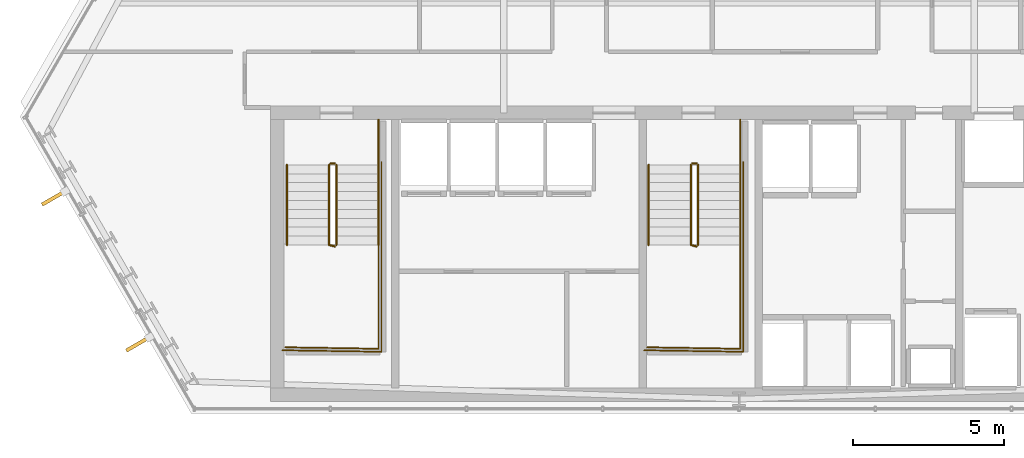
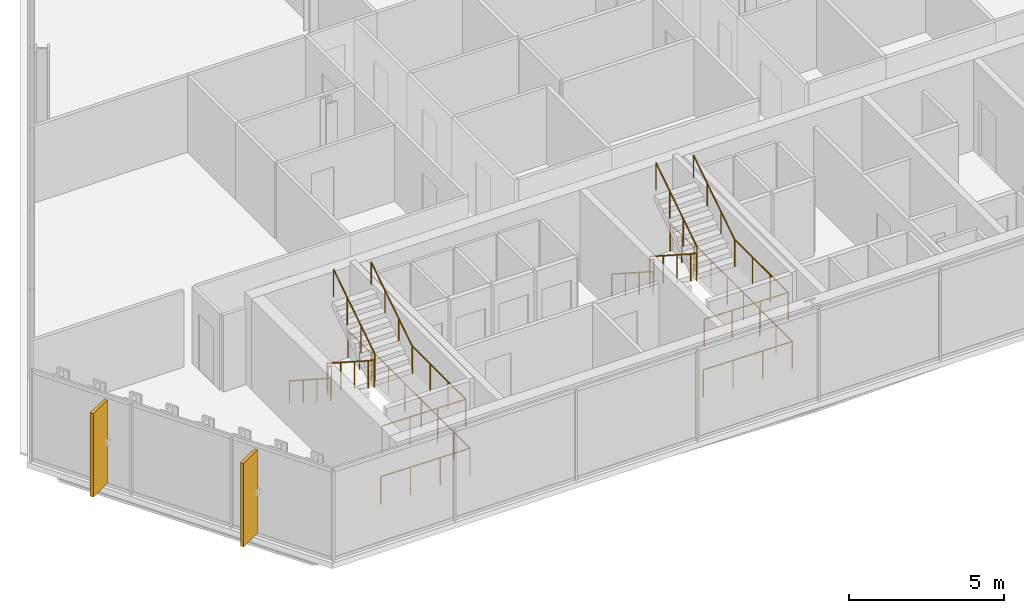
# One storey, part 30 of 33: 16 railings, 2 shading devices.
"""IFC4 building model written with IfcOpenShell, lengths in metres."""

from ifc_helpers import new_model, si_unit, direction, frame, origin, origin_2d, place, context, subcontext, project, spatial, rectangle, circle, extrude, material, layer, layer_set, type_object, element, save


model = new_model("IFC4")

# Units and contexts
model_context = context("Model", 3, precision=1e-05, world=origin(), true_north=direction((0.0, 1.0)))
body_context = subcontext(model_context, "Body", "Model", "MODEL_VIEW")
ifc_project = project(units=[si_unit("LENGTHUNIT", "METRE"), si_unit("AREAUNIT", "SQUARE_METRE"), si_unit("VOLUMEUNIT", "CUBIC_METRE"), si_unit("PLANEANGLEUNIT", "RADIAN"), si_unit("MASSUNIT", "GRAM", prefix="KILO")], contexts=[model_context])

# Site, building, storey
site_placement = place(None, origin())
site = spatial("IfcSite", under=ifc_project, at=site_placement, CompositionType="ELEMENT")
building_placement = place(site_placement, origin())
building = spatial("IfcBuilding", under=site, at=building_placement, Name="Ndaravel Arena Tower", CompositionType="ELEMENT")
storey_placement = place(building_placement, frame((0.0, 0.0, 149.800048828125)))
storey = spatial("IfcBuildingStorey", under=building, at=storey_placement, Name="L35", CompositionType="ELEMENT", Elevation=149.800048828125)

# Railings
ifc_material_1 = material(Name="Steel S355", Category="steel")
ifc_layer_1 = layer(ifc_material_1, 0.06005859375)
ifc_layer_set_1 = layer_set([ifc_layer_1], Name="Steel S355")
railing_type_1 = type_object("IfcRailingType", Name="RAIL-STAIR-GD1100", PredefinedType="GUARDRAIL", material=ifc_layer_set_1)
railing_1_placement = place(storey_placement, frame((28.39990234375, 13.25, 0.18994140625)))
element("IfcRailing", 1, at=railing_1_placement, inside=storey, type_object=railing_type_1, Name="L35 ST-1 stair guard 1", PredefinedType="GUARDRAIL", context=body_context, shape_type="SweptSolid", body=[
    extrude(circle(Radius=0.02392578125, at=origin_2d()), frame((0.0, 0.0, 1.076171875), z_axis=(0.0, -0.840723540582, 0.54146461409), x_axis=(1.0, 0.0, 0.0)), (0.0, 0.0, 1.0), 3.157958984375),
    extrude(circle(Radius=0.02392578125, at=origin_2d()), frame((0.0, -2.655029296875, 2.7861328125), z_axis=(0.967074537263, -0.25449329928, 0.0), x_axis=(0.25449329928, 0.967074537263, 0.0)), (0.0, 0.0, 1.0), 0.19677734375),
    extrude(circle(Radius=0.02099609375, at=origin_2d()), origin(), (0.0, 0.0, 1.0), 1.052001953125),
    extrude(circle(Radius=0.02099609375, at=origin_2d()), frame((0.0, -0.885009765625, 0.570068359375)), (0.0, 0.0, 1.0), 1.052001953125),
    extrude(circle(Radius=0.02099609375, at=origin_2d()), frame((0.0, -1.77001953125, 1.139892578125)), (0.0, 0.0, 1.0), 1.052001953125),
    extrude(circle(Radius=0.02099609375, at=origin_2d()), frame((0.0, -2.655029296875, 1.7099609375)), (0.0, 0.0, 1.0), 1.052001953125),
    extrude(circle(Radius=0.02099609375, at=origin_2d()), frame((0.190185546875, -2.705078125, 1.7099609375)), (0.0, 0.0, 1.0), 1.052001953125),
])
railing_2_placement = place(storey_placement, frame((30.0400390625, 10.594970703125, 1.89990234375)))
element("IfcRailing", 2, at=railing_2_placement, inside=storey, type_object=railing_type_1, Name="L35 ST-1 stair guard 2", PredefinedType="GUARDRAIL", context=body_context, shape_type="SweptSolid", body=[
    extrude(circle(Radius=0.02392578125, at=origin_2d()), frame((0.0, 0.0, 1.076171875), z_axis=(0.0, -1.0, 0.0), x_axis=(1.0, 0.0, 0.0)), (0.0, 0.0, 1.0), 3.445068359375),
    extrude(circle(Radius=0.02392578125, at=origin_2d()), frame((0.0, -3.445068359375, 1.076171875), z_axis=(-0.999868861343, 0.016194447071, 0.0), x_axis=(-0.016194447071, -0.999868861343, 0.0)), (0.0, 0.0, 1.0), 3.090576171875),
    extrude(circle(Radius=0.02099609375, at=origin_2d()), origin(), (0.0, 0.0, 1.0), 1.052001953125),
    extrude(circle(Radius=0.02099609375, at=origin_2d()), frame((0.0, -1.1484375, 0.0)), (0.0, 0.0, 1.0), 1.052001953125),
    extrude(circle(Radius=0.02099609375, at=origin_2d()), frame((0.0, -2.296630859375, 0.0)), (0.0, 0.0, 1.0), 1.052001953125),
    extrude(circle(Radius=0.02099609375, at=origin_2d()), frame((0.0, -3.445068359375, 0.0)), (0.0, 0.0, 1.0), 1.052001953125),
    extrude(circle(Radius=0.02099609375, at=origin_2d()), frame((-1.030029296875, -3.428466796875, 0.0)), (0.0, 0.0, 1.0), 1.052001953125),
    extrude(circle(Radius=0.02099609375, at=origin_2d()), frame((-2.06005859375, -3.41162109375, 0.0)), (0.0, 0.0, 1.0), 1.052001953125),
    extrude(circle(Radius=0.02099609375, at=origin_2d()), frame((-3.090087890625, -3.39501953125, 0.0)), (0.0, 0.0, 1.0), 1.052001953125),
])
railing_3_placement = place(storey_placement, frame((28.639892578125, 10.594970703125, 2.08984375)))
element("IfcRailing", 3, at=railing_3_placement, inside=storey, type_object=railing_type_1, Name="L35 ST-1 stair guard 3", PredefinedType="GUARDRAIL", context=body_context, shape_type="SweptSolid", body=[
    extrude(circle(Radius=0.02392578125, at=origin_2d()), frame((0.0, 0.0, 1.076171875), z_axis=(0.0, 0.840688348013, 0.541519253134), x_axis=(-1.0, 0.0, 0.0)), (0.0, 0.0, 1.0), 3.158203125),
    extrude(circle(Radius=0.02099609375, at=origin_2d()), origin(), (0.0, 0.0, 1.0), 1.052001953125),
    extrude(circle(Radius=0.02099609375, at=origin_2d()), frame((0.0, 0.885009765625, 0.570068359375)), (0.0, 0.0, 1.0), 1.052001953125),
    extrude(circle(Radius=0.02099609375, at=origin_2d()), frame((0.0, 1.77001953125, 1.14013671875)), (0.0, 0.0, 1.0), 1.052001953125),
    extrude(circle(Radius=0.02099609375, at=origin_2d()), frame((0.0, 2.655029296875, 1.710205078125)), (0.0, 0.0, 1.0), 1.052001953125),
])
railing_4_placement = place(storey_placement, frame((28.449951171875, 13.300048828125, 0.0)))
element("IfcRailing", 4, at=railing_4_placement, inside=storey, type_object=railing_type_1, Name="L35 ST-1 stair guard 4", PredefinedType="GUARDRAIL", context=body_context, shape_type="SweptSolid", body=[
    extrude(circle(Radius=0.02392578125, at=origin_2d()), frame((0.0, 0.0, 1.076171875), z_axis=(1.0, 0.0, 0.0), x_axis=(0.0, 1.0, 0.0)), (0.0, 0.0, 1.0), 0.14013671875),
    extrude(circle(Radius=0.02099609375, at=origin_2d()), origin(), (0.0, 0.0, 1.0), 1.052001953125),
    extrude(circle(Radius=0.02099609375, at=origin_2d()), frame((0.14013671875, 0.0, 0.0)), (0.0, 0.0, 1.0), 1.052001953125),
])
railing_5_placement = place(storey_placement, frame((30.0400390625, 14.75, 0.0)))
element("IfcRailing", 5, at=railing_5_placement, inside=storey, type_object=railing_type_1, Name="L35 ST-1 stair guard 5", PredefinedType="GUARDRAIL", context=body_context, shape_type="SweptSolid", body=[
    extrude(circle(Radius=0.02392578125, at=origin_2d()), frame((0.0, 0.0, 1.076171875), z_axis=(0.0, -1.0, 0.0), x_axis=(1.0, 0.0, 0.0)), (0.0, 0.0, 1.0), 1.5),
    extrude(circle(Radius=0.02099609375, at=origin_2d()), origin(), (0.0, 0.0, 1.0), 1.052001953125),
    extrude(circle(Radius=0.02099609375, at=origin_2d()), frame((0.0, -0.75, 0.0)), (0.0, 0.0, 1.0), 1.052001953125),
    extrude(circle(Radius=0.02099609375, at=origin_2d()), frame((0.0, -1.5, 0.0)), (0.0, 0.0, 1.0), 1.052001953125),
])
railing_6_placement = place(storey_placement, frame((30.139892578125, 13.35009765625, 0.0)))
element("IfcRailing", 6, at=railing_6_placement, inside=storey, type_object=railing_type_1, Name="L35 ST-1 stair guard 6", PredefinedType="GUARDRAIL", context=body_context, shape_type="SweptSolid", body=[
    extrude(circle(Radius=0.02392578125, at=origin_2d()), frame((0.0, 0.0, 1.076171875), z_axis=(0.0, -1.0, 0.0), x_axis=(1.0, 0.0, 0.0)), (0.0, 0.0, 1.0), 6.300048828125),
    extrude(circle(Radius=0.02392578125, at=origin_2d()), frame((0.0, -6.300048828125, 1.076171875), z_axis=(-0.999884296952, 0.015211597839, 0.0), x_axis=(-0.015211597839, -0.999884296952, 0.0)), (0.0, 0.0, 1.0), 3.290283203125),
    extrude(circle(Radius=0.02099609375, at=origin_2d()), origin(), (0.0, 0.0, 1.0), 1.052001953125),
    extrude(circle(Radius=0.02099609375, at=origin_2d()), frame((0.0, -1.050048828125, 0.0)), (0.0, 0.0, 1.0), 1.052001953125),
    extrude(circle(Radius=0.02099609375, at=origin_2d()), frame((0.0, -2.10009765625, 0.0)), (0.0, 0.0, 1.0), 1.052001953125),
    extrude(circle(Radius=0.02099609375, at=origin_2d()), frame((0.0, -3.14990234375, 0.0)), (0.0, 0.0, 1.0), 1.052001953125),
    extrude(circle(Radius=0.02099609375, at=origin_2d()), frame((0.0, -4.199951171875, 0.0)), (0.0, 0.0, 1.0), 1.052001953125),
    extrude(circle(Radius=0.02099609375, at=origin_2d()), frame((0.0, -5.25, 0.0)), (0.0, 0.0, 1.0), 1.052001953125),
    extrude(circle(Radius=0.02099609375, at=origin_2d()), frame((0.0, -6.300048828125, 0.0)), (0.0, 0.0, 1.0), 1.052001953125),
    extrude(circle(Radius=0.02099609375, at=origin_2d()), frame((-1.0966796875, -6.283447265625, 0.0)), (0.0, 0.0, 1.0), 1.052001953125),
    extrude(circle(Radius=0.02099609375, at=origin_2d()), frame((-2.193115234375, -6.2666015625, 0.0)), (0.0, 0.0, 1.0), 1.052001953125),
    extrude(circle(Radius=0.02099609375, at=origin_2d()), frame((-3.289794921875, -6.25, 0.0)), (0.0, 0.0, 1.0), 1.052001953125),
])
railing_7_placement = place(storey_placement, frame((40.39990234375, 13.25, 0.18994140625)))
element("IfcRailing", 7, at=railing_7_placement, inside=storey, type_object=railing_type_1, Name="L35 ST-2 stair guard 1", PredefinedType="GUARDRAIL", context=body_context, shape_type="SweptSolid", body=[
    extrude(circle(Radius=0.02392578125, at=origin_2d()), frame((0.0, 0.0, 1.076171875), z_axis=(0.0, -0.840723540582, 0.54146461409), x_axis=(1.0, 0.0, 0.0)), (0.0, 0.0, 1.0), 3.157958984375),
    extrude(circle(Radius=0.02392578125, at=origin_2d()), frame((0.0, -2.655029296875, 2.7861328125), z_axis=(0.967074537263, -0.25449329928, 0.0), x_axis=(0.25449329928, 0.967074537263, 0.0)), (0.0, 0.0, 1.0), 0.19677734375),
    extrude(circle(Radius=0.02099609375, at=origin_2d()), origin(), (0.0, 0.0, 1.0), 1.052001953125),
    extrude(circle(Radius=0.02099609375, at=origin_2d()), frame((0.0, -0.885009765625, 0.570068359375)), (0.0, 0.0, 1.0), 1.052001953125),
    extrude(circle(Radius=0.02099609375, at=origin_2d()), frame((0.0, -1.77001953125, 1.139892578125)), (0.0, 0.0, 1.0), 1.052001953125),
    extrude(circle(Radius=0.02099609375, at=origin_2d()), frame((0.0, -2.655029296875, 1.7099609375)), (0.0, 0.0, 1.0), 1.052001953125),
    extrude(circle(Radius=0.02099609375, at=origin_2d()), frame((0.190185546875, -2.705078125, 1.7099609375)), (0.0, 0.0, 1.0), 1.052001953125),
])
railing_8_placement = place(storey_placement, frame((42.0400390625, 10.594970703125, 1.89990234375)))
element("IfcRailing", 8, at=railing_8_placement, inside=storey, type_object=railing_type_1, Name="L35 ST-2 stair guard 2", PredefinedType="GUARDRAIL", context=body_context, shape_type="SweptSolid", body=[
    extrude(circle(Radius=0.02392578125, at=origin_2d()), frame((0.0, 0.0, 1.076171875), z_axis=(0.0, -1.0, 0.0), x_axis=(1.0, 0.0, 0.0)), (0.0, 0.0, 1.0), 3.445068359375),
    extrude(circle(Radius=0.02392578125, at=origin_2d()), frame((0.0, -3.445068359375, 1.076171875), z_axis=(-0.999868861343, 0.016194447071, 0.0), x_axis=(-0.016194447071, -0.999868861343, 0.0)), (0.0, 0.0, 1.0), 3.090576171875),
    extrude(circle(Radius=0.02099609375, at=origin_2d()), origin(), (0.0, 0.0, 1.0), 1.052001953125),
    extrude(circle(Radius=0.02099609375, at=origin_2d()), frame((0.0, -1.1484375, 0.0)), (0.0, 0.0, 1.0), 1.052001953125),
    extrude(circle(Radius=0.02099609375, at=origin_2d()), frame((0.0, -2.296630859375, 0.0)), (0.0, 0.0, 1.0), 1.052001953125),
    extrude(circle(Radius=0.02099609375, at=origin_2d()), frame((0.0, -3.445068359375, 0.0)), (0.0, 0.0, 1.0), 1.052001953125),
    extrude(circle(Radius=0.02099609375, at=origin_2d()), frame((-1.030029296875, -3.428466796875, 0.0)), (0.0, 0.0, 1.0), 1.052001953125),
    extrude(circle(Radius=0.02099609375, at=origin_2d()), frame((-2.06005859375, -3.41162109375, 0.0)), (0.0, 0.0, 1.0), 1.052001953125),
    extrude(circle(Radius=0.02099609375, at=origin_2d()), frame((-3.090087890625, -3.39501953125, 0.0)), (0.0, 0.0, 1.0), 1.052001953125),
])
railing_9_placement = place(storey_placement, frame((40.639892578125, 10.594970703125, 2.08984375)))
element("IfcRailing", 9, at=railing_9_placement, inside=storey, type_object=railing_type_1, Name="L35 ST-2 stair guard 3", PredefinedType="GUARDRAIL", context=body_context, shape_type="SweptSolid", body=[
    extrude(circle(Radius=0.02392578125, at=origin_2d()), frame((0.0, 0.0, 1.076171875), z_axis=(0.0, 0.840688348013, 0.541519253134), x_axis=(-1.0, 0.0, 0.0)), (0.0, 0.0, 1.0), 3.158203125),
    extrude(circle(Radius=0.02099609375, at=origin_2d()), origin(), (0.0, 0.0, 1.0), 1.052001953125),
    extrude(circle(Radius=0.02099609375, at=origin_2d()), frame((0.0, 0.885009765625, 0.570068359375)), (0.0, 0.0, 1.0), 1.052001953125),
    extrude(circle(Radius=0.02099609375, at=origin_2d()), frame((0.0, 1.77001953125, 1.14013671875)), (0.0, 0.0, 1.0), 1.052001953125),
    extrude(circle(Radius=0.02099609375, at=origin_2d()), frame((0.0, 2.655029296875, 1.710205078125)), (0.0, 0.0, 1.0), 1.052001953125),
])
railing_10_placement = place(storey_placement, frame((40.449951171875, 13.300048828125, 0.0)))
element("IfcRailing", 10, at=railing_10_placement, inside=storey, type_object=railing_type_1, Name="L35 ST-2 stair guard 4", PredefinedType="GUARDRAIL", context=body_context, shape_type="SweptSolid", body=[
    extrude(circle(Radius=0.02392578125, at=origin_2d()), frame((0.0, 0.0, 1.076171875), z_axis=(1.0, 0.0, 0.0), x_axis=(0.0, 1.0, 0.0)), (0.0, 0.0, 1.0), 0.14013671875),
    extrude(circle(Radius=0.02099609375, at=origin_2d()), origin(), (0.0, 0.0, 1.0), 1.052001953125),
    extrude(circle(Radius=0.02099609375, at=origin_2d()), frame((0.14013671875, 0.0, 0.0)), (0.0, 0.0, 1.0), 1.052001953125),
])
railing_11_placement = place(storey_placement, frame((42.0400390625, 14.75, 0.0)))
element("IfcRailing", 11, at=railing_11_placement, inside=storey, type_object=railing_type_1, Name="L35 ST-2 stair guard 5", PredefinedType="GUARDRAIL", context=body_context, shape_type="SweptSolid", body=[
    extrude(circle(Radius=0.02392578125, at=origin_2d()), frame((0.0, 0.0, 1.076171875), z_axis=(0.0, -1.0, 0.0), x_axis=(1.0, 0.0, 0.0)), (0.0, 0.0, 1.0), 1.5),
    extrude(circle(Radius=0.02099609375, at=origin_2d()), origin(), (0.0, 0.0, 1.0), 1.052001953125),
    extrude(circle(Radius=0.02099609375, at=origin_2d()), frame((0.0, -0.75, 0.0)), (0.0, 0.0, 1.0), 1.052001953125),
    extrude(circle(Radius=0.02099609375, at=origin_2d()), frame((0.0, -1.5, 0.0)), (0.0, 0.0, 1.0), 1.052001953125),
])
railing_12_placement = place(storey_placement, frame((42.139892578125, 13.35009765625, 0.0)))
element("IfcRailing", 12, at=railing_12_placement, inside=storey, type_object=railing_type_1, Name="L35 ST-2 stair guard 6", PredefinedType="GUARDRAIL", context=body_context, shape_type="SweptSolid", body=[
    extrude(circle(Radius=0.02392578125, at=origin_2d()), frame((0.0, 0.0, 1.076171875), z_axis=(0.0, -1.0, 0.0), x_axis=(1.0, 0.0, 0.0)), (0.0, 0.0, 1.0), 6.300048828125),
    extrude(circle(Radius=0.02392578125, at=origin_2d()), frame((0.0, -6.300048828125, 1.076171875), z_axis=(-0.999884296952, 0.015211597839, 0.0), x_axis=(-0.015211597839, -0.999884296952, 0.0)), (0.0, 0.0, 1.0), 3.290283203125),
    extrude(circle(Radius=0.02099609375, at=origin_2d()), origin(), (0.0, 0.0, 1.0), 1.052001953125),
    extrude(circle(Radius=0.02099609375, at=origin_2d()), frame((0.0, -1.050048828125, 0.0)), (0.0, 0.0, 1.0), 1.052001953125),
    extrude(circle(Radius=0.02099609375, at=origin_2d()), frame((0.0, -2.10009765625, 0.0)), (0.0, 0.0, 1.0), 1.052001953125),
    extrude(circle(Radius=0.02099609375, at=origin_2d()), frame((0.0, -3.14990234375, 0.0)), (0.0, 0.0, 1.0), 1.052001953125),
    extrude(circle(Radius=0.02099609375, at=origin_2d()), frame((0.0, -4.199951171875, 0.0)), (0.0, 0.0, 1.0), 1.052001953125),
    extrude(circle(Radius=0.02099609375, at=origin_2d()), frame((0.0, -5.25, 0.0)), (0.0, 0.0, 1.0), 1.052001953125),
    extrude(circle(Radius=0.02099609375, at=origin_2d()), frame((0.0, -6.300048828125, 0.0)), (0.0, 0.0, 1.0), 1.052001953125),
    extrude(circle(Radius=0.02099609375, at=origin_2d()), frame((-1.0966796875, -6.283447265625, 0.0)), (0.0, 0.0, 1.0), 1.052001953125),
    extrude(circle(Radius=0.02099609375, at=origin_2d()), frame((-2.193115234375, -6.2666015625, 0.0)), (0.0, 0.0, 1.0), 1.052001953125),
    extrude(circle(Radius=0.02099609375, at=origin_2d()), frame((-3.289794921875, -6.25, 0.0)), (0.0, 0.0, 1.0), 1.052001953125),
])
ifc_material_2 = material(Name="Steel S355", Category="steel")
ifc_layer_2 = layer(ifc_material_2, 0.050048828125)
ifc_layer_set_2 = layer_set([ifc_layer_2], Name="Steel S355")
railing_type_2 = type_object("IfcRailingType", Name="RAIL-STAIR-HR920", PredefinedType="HANDRAIL", material=ifc_layer_set_2)
railing_13_placement = place(storey_placement, frame((27.0, 13.25, 0.18994140625)))
element("IfcRailing", 13, at=railing_13_placement, inside=storey, type_object=railing_type_2, Name="L35 ST-1 stair handrail 1", PredefinedType="HANDRAIL", context=body_context, shape_type="SweptSolid", body=[
    extrude(circle(Radius=0.02392578125, at=origin_2d()), frame((0.0, 0.0, 0.8759765625), z_axis=(0.0, -0.840723540582, 0.54146461409), x_axis=(1.0, 0.0, 0.0)), (0.0, 0.0, 1.0), 3.157958984375),
    extrude(circle(Radius=0.02099609375, at=origin_2d()), origin(), (0.0, 0.0, 1.0), 0.851806640625),
    extrude(circle(Radius=0.02099609375, at=origin_2d()), frame((0.0, -0.885009765625, 0.570068359375)), (0.0, 0.0, 1.0), 0.851806640625),
    extrude(circle(Radius=0.02099609375, at=origin_2d()), frame((0.0, -1.77001953125, 1.139892578125)), (0.0, 0.0, 1.0), 0.851806640625),
    extrude(circle(Radius=0.02099609375, at=origin_2d()), frame((0.0, -2.655029296875, 1.7099609375)), (0.0, 0.0, 1.0), 0.851806640625),
])
railing_14_placement = place(storey_placement, frame((30.0400390625, 10.594970703125, 2.08984375)))
element("IfcRailing", 14, at=railing_14_placement, inside=storey, type_object=railing_type_2, Name="L35 ST-1 stair handrail 2", PredefinedType="HANDRAIL", context=body_context, shape_type="SweptSolid", body=[
    extrude(circle(Radius=0.02392578125, at=origin_2d()), frame((0.0, 0.0, 0.8759765625), z_axis=(0.0, 0.840688348013, 0.541519253134), x_axis=(-1.0, 0.0, 0.0)), (0.0, 0.0, 1.0), 3.158203125),
    extrude(circle(Radius=0.02099609375, at=origin_2d()), origin(), (0.0, 0.0, 1.0), 0.851806640625),
    extrude(circle(Radius=0.02099609375, at=origin_2d()), frame((0.0, 0.885009765625, 0.570068359375)), (0.0, 0.0, 1.0), 0.851806640625),
    extrude(circle(Radius=0.02099609375, at=origin_2d()), frame((0.0, 1.77001953125, 1.14013671875)), (0.0, 0.0, 1.0), 0.851806640625),
    extrude(circle(Radius=0.02099609375, at=origin_2d()), frame((0.0, 2.655029296875, 1.710205078125)), (0.0, 0.0, 1.0), 0.851806640625),
])
railing_15_placement = place(storey_placement, frame((39.0, 13.25, 0.18994140625)))
element("IfcRailing", 15, at=railing_15_placement, inside=storey, type_object=railing_type_2, Name="L35 ST-2 stair handrail 1", PredefinedType="HANDRAIL", context=body_context, shape_type="SweptSolid", body=[
    extrude(circle(Radius=0.02392578125, at=origin_2d()), frame((0.0, 0.0, 0.8759765625), z_axis=(0.0, -0.840723540582, 0.54146461409), x_axis=(1.0, 0.0, 0.0)), (0.0, 0.0, 1.0), 3.157958984375),
    extrude(circle(Radius=0.02099609375, at=origin_2d()), origin(), (0.0, 0.0, 1.0), 0.851806640625),
    extrude(circle(Radius=0.02099609375, at=origin_2d()), frame((0.0, -0.885009765625, 0.570068359375)), (0.0, 0.0, 1.0), 0.851806640625),
    extrude(circle(Radius=0.02099609375, at=origin_2d()), frame((0.0, -1.77001953125, 1.139892578125)), (0.0, 0.0, 1.0), 0.851806640625),
    extrude(circle(Radius=0.02099609375, at=origin_2d()), frame((0.0, -2.655029296875, 1.7099609375)), (0.0, 0.0, 1.0), 0.851806640625),
])
railing_16_placement = place(storey_placement, frame((42.0400390625, 10.594970703125, 2.08984375)))
element("IfcRailing", 16, at=railing_16_placement, inside=storey, type_object=railing_type_2, Name="L35 ST-2 stair handrail 2", PredefinedType="HANDRAIL", context=body_context, shape_type="SweptSolid", body=[
    extrude(circle(Radius=0.02392578125, at=origin_2d()), frame((0.0, 0.0, 0.8759765625), z_axis=(0.0, 0.840688348013, 0.541519253134), x_axis=(-1.0, 0.0, 0.0)), (0.0, 0.0, 1.0), 3.158203125),
    extrude(circle(Radius=0.02099609375, at=origin_2d()), origin(), (0.0, 0.0, 1.0), 0.851806640625),
    extrude(circle(Radius=0.02099609375, at=origin_2d()), frame((0.0, 0.885009765625, 0.570068359375)), (0.0, 0.0, 1.0), 0.851806640625),
    extrude(circle(Radius=0.02099609375, at=origin_2d()), frame((0.0, 1.77001953125, 1.14013671875)), (0.0, 0.0, 1.0), 0.851806640625),
    extrude(circle(Radius=0.02099609375, at=origin_2d()), frame((0.0, 2.655029296875, 1.710205078125)), (0.0, 0.0, 1.0), 0.851806640625),
])

# Shading devices
ifc_material_3 = material(Name="Masonry", Category="masonry")
shading_device_type = type_object("IfcShadingDeviceType", Name="SHD-MAZERAS-FIN", PredefinedType="SHUTTER", material=ifc_material_3)
for number, where, z_axis, x_axis, name in (
    (17, (19.267822265625, 12.156982421875, 0.14990234375), (0.0, 0.0, 1.0), (-0.866025403784, -0.5, 0.0), "L35 Mazeras Stone Solar Fin E6.1"),
    (18, (22.063720703125, 7.314208984375, 0.14990234375), (0.0, 0.0, 1.0), (-0.866025403784, -0.5, 0.0), "L35 Mazeras Stone Solar Fin E6.2"),
):
    element("IfcShadingDevice", number, at=place(storey_placement, frame(where, z_axis=z_axis, x_axis=x_axis)), inside=storey, type_object=shading_device_type, Name=name, PredefinedType="SHUTTER", context=body_context, shape_type="SweptSolid", body=[
        extrude(rectangle(XDim=0.89990234375, YDim=0.1201171875, at=origin_2d()), origin(), (0.0, 0.0, 1.0), 3.280029296875),
    ])

save(model, "model.ifc")
